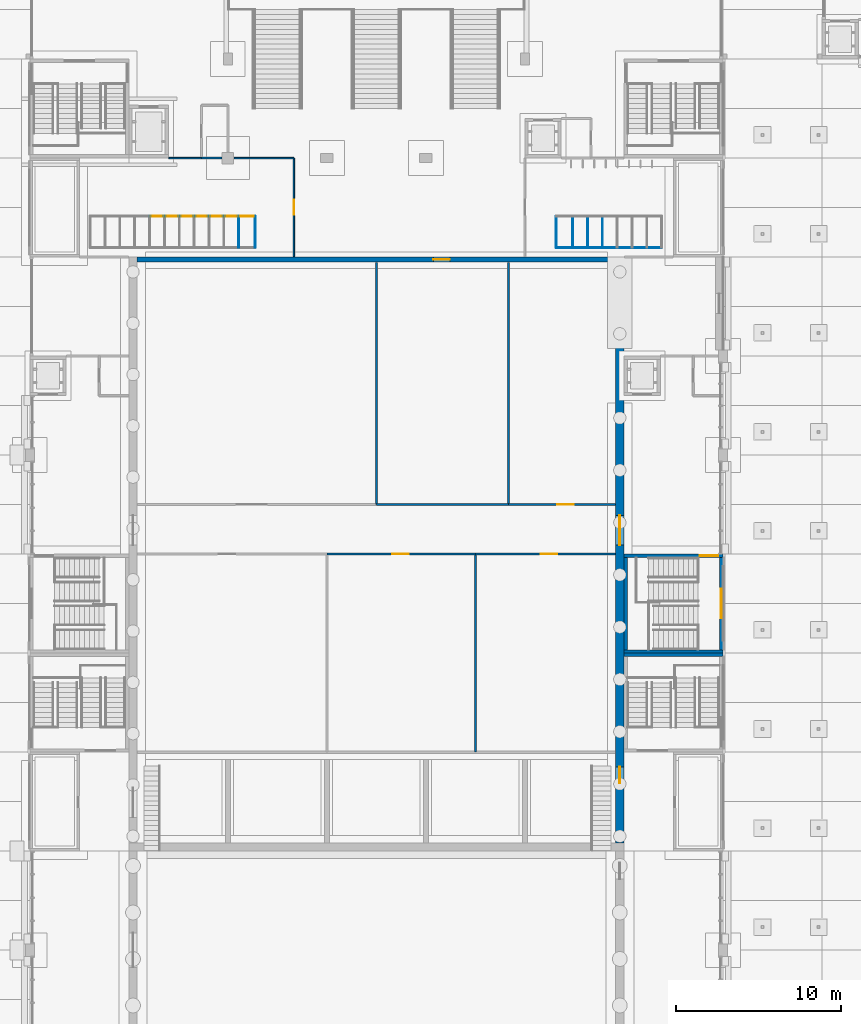
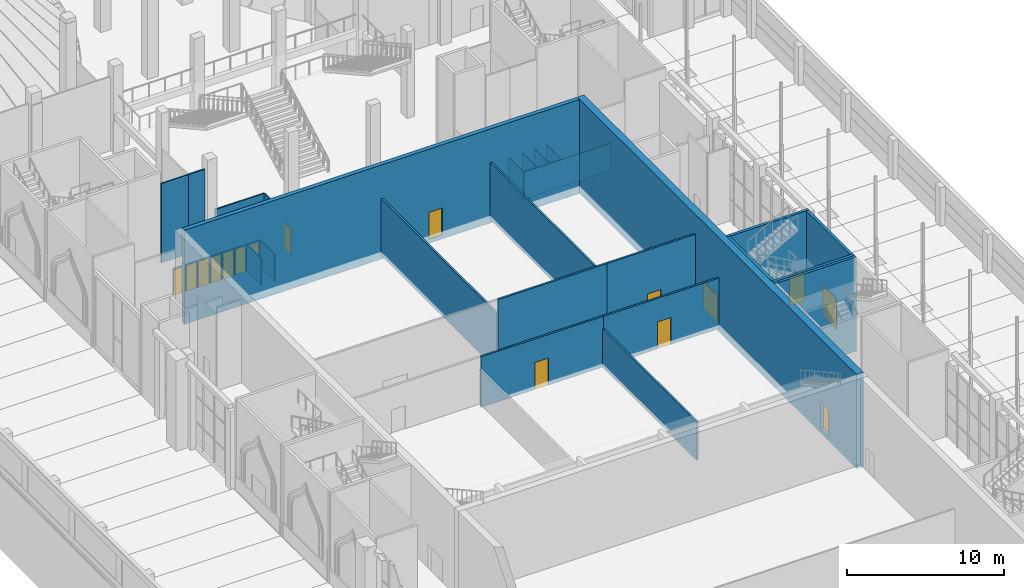
# One storey, part 47 of 95: 32 walls, 16 doors, 16 openings.
"""IFC4 building model written with IfcOpenShell, lengths in metres."""

from ifc_helpers import new_model, si_unit, direction, frame, frame_2d, origin, place, context, subcontext, project, spatial, rectangle, extrude, material, layer, layer_set, type_object, element, fill, save


model = new_model("IFC4")

# Units and contexts
model_context = context("Model", 3, precision=1e-05, world=origin(), true_north=direction((0.0, 1.0)))
body_context = subcontext(model_context, "Body", "Model", "MODEL_VIEW")
ifc_project = project(units=[si_unit("LENGTHUNIT", "METRE"), si_unit("AREAUNIT", "SQUARE_METRE"), si_unit("VOLUMEUNIT", "CUBIC_METRE"), si_unit("PLANEANGLEUNIT", "RADIAN"), si_unit("MASSUNIT", "GRAM", prefix="KILO")], contexts=[model_context])

# Site, building, storey
site_placement = place(None, origin())
site = spatial("IfcSite", under=ifc_project, at=site_placement, CompositionType="ELEMENT")
building_placement = place(site_placement, origin())
building = spatial("IfcBuilding", under=site, at=building_placement, Name="Saffron Lane Theatres", CompositionType="ELEMENT")
storey_placement = place(building_placement, origin())
storey = spatial("IfcBuildingStorey", under=building, at=storey_placement, Name="L00", CompositionType="ELEMENT", Elevation=0.0)

# Wall
ifc_material_1 = material(Name="Masonry block partition", Category="masonry")
ifc_layer_1 = layer(ifc_material_1, 0.110107421875)
ifc_layer_set_1 = layer_set([ifc_layer_1], Name="Masonry block partition")
wall_type_1 = type_object("IfcWallType", Name="IN-BLOCK PARTITION 110", PredefinedType="PARTITIONING", material=ifc_layer_set_1)
wall_1_placement = place(storey_placement, frame((22.39990234375, 96.0, 0.0), z_axis=(0.0, 0.0, 1.0), x_axis=(1.0, 0.0, 0.0)))
element("IfcWall", 1, at=wall_1_placement, inside=storey, type_object=wall_type_1, Name="PW-L00-054", PredefinedType="PARTITIONING", context=body_context, shape_type="SweptSolid", body=[
    extrude(rectangle(XDim=1.22998046875, YDim=0.110107421875, at=frame_2d((0.614990234375, 0.0))), origin(), (0.0, 0.0, 1.0), 6.14990234375),
])

# Wall, opening, door
ifc_material_2 = material(Name="Masonry block partition", Category="masonry")
ifc_layer_2 = layer(ifc_material_2, 0.139892578125)
ifc_layer_set_2 = layer_set([ifc_layer_2], Name="Masonry block partition")
wall_type_2 = type_object("IfcWallType", Name="IN-BLOCK PARTITION 140", PredefinedType="PARTITIONING", material=ifc_layer_set_2)
wall_2_placement = place(storey_placement, frame((30.0, 72.0, 0.0), z_axis=(0.0, 0.0, 1.0), x_axis=(1.0, 0.0, 0.0)))
wall_2 = element("IfcWall", 2, at=wall_2_placement, inside=storey, type_object=wall_type_2, Name="PW-L00-064", PredefinedType="PARTITIONING", context=body_context, shape_type="SweptSolid", body=[
    extrude(rectangle(XDim=9.0, YDim=0.139892578125, at=frame_2d((4.5, 0.0))), origin(), (0.0, 0.0, 1.0), 3.924072265625),
])
opening_1_placement = place(wall_2_placement, frame((3.949951171875, 0.0, 0.0)))
opening_1 = element("IfcOpeningElement", 3, at=opening_1_placement, cuts=wall_2, Name="Opening D00-13", PredefinedType="OPENING", context=body_context, shape_type="SweptSolid", body=[
    extrude(rectangle(XDim=1.0, YDim=2.10009765625, at=frame_2d((0.5, 1.050048828125))), frame((0.0, 0.080078125, 0.0), z_axis=(0.0, -1.0, 0.0), x_axis=(1.0, 0.0, 0.0)), (0.0, 0.0, 1.0), 0.159912109375),
])
ifc_material_3 = material(Name="Steel faced fire door leaf", Category="steel")
door_type_1 = type_object("IfcDoorType", Name="IN-DOOR 1000x2100 FD120", OperationType="NOTDEFINED", PredefinedType="DOOR", material=ifc_material_3)
door_1_placement = place(opening_1_placement, frame((1.0, 0.0, 0.0), z_axis=(0.0, 0.0, 1.0), x_axis=(-1.0, 0.0, 0.0)))
door_1 = element("IfcDoor", 4, at=door_1_placement, inside=storey, type_object=door_type_1, Name="D00-13", OperationType="SINGLE_SWING_LEFT", OverallHeight=2.10009765625, OverallWidth=1.0, PredefinedType="DOOR", context=body_context, shape_type="SweptSolid", body=[
    extrude(rectangle(XDim=1.0, YDim=2.10009765625, at=frame_2d((0.5, 1.050048828125))), frame((0.0, 0.02490234375, 0.0), z_axis=(0.0, -1.0, 0.0), x_axis=(1.0, 0.0, 0.0)), (0.0, 0.0, 1.0), 0.050048828125),
])
fill(opening_1, door_1)

# Walls
wall_3_placement = place(storey_placement, frame((33.0, 75.0, 0.0), z_axis=(0.0, 0.0, 1.0), x_axis=(1.0, 0.0, 0.0)))
element("IfcWall", 5, at=wall_3_placement, inside=storey, type_object=wall_type_2, Name="PW-L00-065", PredefinedType="PARTITIONING", context=body_context, shape_type="SweptSolid", body=[
    extrude(rectangle(XDim=8.0, YDim=0.139892578125, at=frame_2d((4.0, 0.0))), origin(), (0.0, 0.0, 1.0), 5.5),
])
wall_4_placement = place(storey_placement, frame((33.0, 75.0, 0.0), z_axis=(0.0, 0.0, 1.0), x_axis=(0.0, 1.0, 0.0)))
element("IfcWall", 6, at=wall_4_placement, inside=storey, type_object=wall_type_2, Name="PW-L00-066", PredefinedType="PARTITIONING", context=body_context, shape_type="SweptSolid", body=[
    extrude(rectangle(XDim=14.679931640625, YDim=0.139892578125, at=frame_2d((7.33984375, 0.0))), origin(), (0.0, 0.0, 1.0), 4.404052734375),
])
wall_5_placement = place(storey_placement, frame((39.0, 60.0, 0.0), z_axis=(0.0, 0.0, 1.0), x_axis=(0.0, 1.0, 0.0)))
element("IfcWall", 7, at=wall_5_placement, inside=storey, type_object=wall_type_2, Name="PW-L00-067", PredefinedType="PARTITIONING", context=body_context, shape_type="SweptSolid", body=[
    extrude(rectangle(XDim=12.0, YDim=0.139892578125, at=frame_2d((6.0, 0.0))), origin(), (0.0, 0.0, 1.0), 2.964111328125),
])

# Wall, opening, door
wall_6_placement = place(storey_placement, frame((39.0, 72.0, 0.0), z_axis=(0.0, 0.0, 1.0), x_axis=(1.0, 0.0, 0.0)))
wall_6 = element("IfcWall", 8, at=wall_6_placement, inside=storey, type_object=wall_type_2, Name="PW-L00-068", PredefinedType="PARTITIONING", context=body_context, shape_type="SweptSolid", body=[
    extrude(rectangle(XDim=8.47998046875, YDim=0.139892578125, at=frame_2d((4.239990234375, 0.0))), origin(), (0.0, 0.0, 1.0), 3.924072265625),
])
opening_2_placement = place(wall_6_placement, frame((3.949951171875, 0.0, 0.0)))
opening_2 = element("IfcOpeningElement", 9, at=opening_2_placement, cuts=wall_6, Name="Opening D00-14", PredefinedType="OPENING", context=body_context, shape_type="SweptSolid", body=[
    extrude(rectangle(XDim=1.0, YDim=2.10009765625, at=frame_2d((0.5, 1.050048828125))), frame((0.0, 0.080078125, 0.0), z_axis=(0.0, -1.0, 0.0), x_axis=(1.0, 0.0, 0.0)), (0.0, 0.0, 1.0), 0.159912109375),
])
door_2_placement = place(opening_2_placement, frame((1.0, 0.0, 0.0), z_axis=(0.0, 0.0, 1.0), x_axis=(-1.0, 0.0, 0.0)))
door_2 = element("IfcDoor", 10, at=door_2_placement, inside=storey, type_object=door_type_1, Name="D00-14", OperationType="SINGLE_SWING_LEFT", OverallHeight=2.10009765625, OverallWidth=1.0, PredefinedType="DOOR", context=body_context, shape_type="SweptSolid", body=[
    extrude(rectangle(XDim=1.0, YDim=2.10009765625, at=frame_2d((0.5, 1.050048828125))), frame((0.0, 0.02490234375, 0.0), z_axis=(0.0, -1.0, 0.0), x_axis=(1.0, 0.0, 0.0)), (0.0, 0.0, 1.0), 0.050048828125),
])
fill(opening_2, door_2)

wall_7_placement = place(storey_placement, frame((41.0, 75.0, 0.0), z_axis=(0.0, 0.0, 1.0), x_axis=(1.0, 0.0, 0.0)))
wall_7 = element("IfcWall", 11, at=wall_7_placement, inside=storey, type_object=wall_type_2, Name="PW-L00-069", PredefinedType="PARTITIONING", context=body_context, shape_type="SweptSolid", body=[
    extrude(rectangle(XDim=6.47998046875, YDim=0.139892578125, at=frame_2d((3.239990234375, 0.0))), origin(), (0.0, 0.0, 1.0), 5.5),
])
opening_3_placement = place(wall_7_placement, frame((2.949951171875, 0.0, 0.0)))
opening_3 = element("IfcOpeningElement", 12, at=opening_3_placement, cuts=wall_7, Name="Opening D00-11", PredefinedType="OPENING", context=body_context, shape_type="SweptSolid", body=[
    extrude(rectangle(XDim=1.0, YDim=2.10009765625, at=frame_2d((0.5, 1.050048828125))), frame((0.0, 0.080078125, 0.0), z_axis=(0.0, -1.0, 0.0), x_axis=(1.0, 0.0, 0.0)), (0.0, 0.0, 1.0), 0.159912109375),
])
door_3_placement = place(opening_3_placement, origin())
door_3 = element("IfcDoor", 13, at=door_3_placement, inside=storey, type_object=door_type_1, Name="D00-11", OperationType="SINGLE_SWING_RIGHT", OverallHeight=2.10009765625, OverallWidth=1.0, PredefinedType="DOOR", context=body_context, shape_type="SweptSolid", body=[
    extrude(rectangle(XDim=1.0, YDim=2.10009765625, at=frame_2d((0.5, 1.050048828125))), frame((0.0, 0.02490234375, 0.0), z_axis=(0.0, -1.0, 0.0), x_axis=(1.0, 0.0, 0.0)), (0.0, 0.0, 1.0), 0.050048828125),
])
fill(opening_3, door_3)

# Walls
wall_8_placement = place(storey_placement, frame((41.0, 75.0, 0.0), z_axis=(0.0, 0.0, 1.0), x_axis=(0.0, 1.0, 0.0)))
element("IfcWall", 14, at=wall_8_placement, inside=storey, type_object=wall_type_2, Name="PW-L00-070", PredefinedType="PARTITIONING", context=body_context, shape_type="SweptSolid", body=[
    extrude(rectangle(XDim=14.679931640625, YDim=0.139892578125, at=frame_2d((7.33984375, 0.0))), origin(), (0.0, 0.0, 1.0), 4.404052734375),
])
ifc_material_4 = material(Name="Laminate cubicle panel")
ifc_layer_3 = layer(ifc_material_4, 0.050048828125)
ifc_layer_set_3 = layer_set([ifc_layer_3], Name="Laminate cubicle panel")
wall_type_3 = type_object("IfcWallType", Name="IN-CUBICLE PANEL 050", PredefinedType="PARTITIONING", material=ifc_layer_set_3)
for number, where, z_axis, x_axis, name in (
    (15, (24.66259765625, 90.574951171875, 0.0), (0.0, 0.0, 1.0), (0.0, 1.0, 0.0), "PW-L00-136"),
    (16, (25.66259765625, 90.574951171875, 0.0), (0.0, 0.0, 1.0), (0.0, 1.0, 0.0), "PW-L00-137"),
):
    element("IfcWall", number, at=place(storey_placement, frame(where, z_axis=z_axis, x_axis=x_axis)), inside=storey, type_object=wall_type_3, Name=name, PredefinedType="PARTITIONING", context=body_context, shape_type="SweptSolid", body=[
        extrude(rectangle(XDim=1.900146484375, YDim=0.050048828125, at=frame_2d((0.9501953125, 0.0))), origin(), (0.0, 0.0, 1.0), 2.10009765625),
    ])

# Wall, opening, door
wall_9_placement = place(storey_placement, frame((19.262451171875, 92.47509765625, 0.0), z_axis=(0.0, 0.0, 1.0), x_axis=(1.0, 0.0, 0.0)))
wall_9 = element("IfcWall", 17, at=wall_9_placement, inside=storey, type_object=wall_type_3, Name="PW-L00-142", PredefinedType="PARTITIONING", context=body_context, shape_type="SweptSolid", body=[
    extrude(rectangle(XDim=0.900146484375, YDim=0.050048828125, at=frame_2d((0.4501953125, 0.0))), origin(), (0.0, 0.0, 1.0), 2.10009765625),
])
opening_4_placement = place(wall_9_placement, frame((0.074951171875, 0.0, 0.0)))
opening_4 = element("IfcOpeningElement", 18, at=opening_4_placement, cuts=wall_9, Name="Opening D00-71", PredefinedType="OPENING", context=body_context, shape_type="SweptSolid", body=[
    extrude(rectangle(XDim=0.75, YDim=2.0, at=frame_2d((0.375, 1.0))), frame((0.0, 0.03515625, 0.0), z_axis=(0.0, -1.0, 0.0), x_axis=(1.0, 0.0, 0.0)), (0.0, 0.0, 1.0), 0.070068359375),
])
ifc_material_5 = material(Name="Timber door leaf", Category="wood")
door_type_2 = type_object("IfcDoorType", Name="IN-DOOR 750x2000", OperationType="NOTDEFINED", PredefinedType="DOOR", material=ifc_material_5)
door_4_placement = place(opening_4_placement, frame((0.75, 0.0, 0.0), z_axis=(0.0, 0.0, 1.0), x_axis=(-1.0, 0.0, 0.0)))
door_4 = element("IfcDoor", 19, at=door_4_placement, inside=storey, type_object=door_type_2, Name="D00-71", OperationType="SINGLE_SWING_RIGHT", OverallHeight=2.0, OverallWidth=0.75, PredefinedType="DOOR", context=body_context, shape_type="SweptSolid", body=[
    extrude(rectangle(XDim=0.75, YDim=2.0, at=frame_2d((0.375, 1.0))), frame((0.0, 0.02490234375, 0.0), z_axis=(0.0, -1.0, 0.0), x_axis=(1.0, 0.0, 0.0)), (0.0, 0.0, 1.0), 0.049560546875),
])
fill(opening_4, door_4)

wall_10_placement = place(storey_placement, frame((20.16259765625, 92.47509765625, 0.0), z_axis=(0.0, 0.0, 1.0), x_axis=(1.0, 0.0, 0.0)))
wall_10 = element("IfcWall", 20, at=wall_10_placement, inside=storey, type_object=wall_type_3, Name="PW-L00-143", PredefinedType="PARTITIONING", context=body_context, shape_type="SweptSolid", body=[
    extrude(rectangle(XDim=0.89990234375, YDim=0.050048828125, at=frame_2d((0.449951171875, 0.0))), origin(), (0.0, 0.0, 1.0), 2.10009765625),
])
opening_5_placement = place(wall_10_placement, frame((0.074951171875, 0.0, 0.0)))
opening_5 = element("IfcOpeningElement", 21, at=opening_5_placement, cuts=wall_10, Name="Opening D00-72", PredefinedType="OPENING", context=body_context, shape_type="SweptSolid", body=[
    extrude(rectangle(XDim=0.75, YDim=2.0, at=frame_2d((0.375, 1.0))), frame((0.0, 0.03515625, 0.0), z_axis=(0.0, -1.0, 0.0), x_axis=(1.0, 0.0, 0.0)), (0.0, 0.0, 1.0), 0.070068359375),
])
door_5_placement = place(opening_5_placement, frame((0.75, 0.0, 0.0), z_axis=(0.0, 0.0, 1.0), x_axis=(-1.0, 0.0, 0.0)))
door_5 = element("IfcDoor", 22, at=door_5_placement, inside=storey, type_object=door_type_2, Name="D00-72", OperationType="SINGLE_SWING_LEFT", OverallHeight=2.0, OverallWidth=0.75, PredefinedType="DOOR", context=body_context, shape_type="SweptSolid", body=[
    extrude(rectangle(XDim=0.75, YDim=2.0, at=frame_2d((0.375, 1.0))), frame((0.0, 0.02490234375, 0.0), z_axis=(0.0, -1.0, 0.0), x_axis=(1.0, 0.0, 0.0)), (0.0, 0.0, 1.0), 0.049560546875),
])
fill(opening_5, door_5)

wall_11_placement = place(storey_placement, frame((21.0625, 92.47509765625, 0.0), z_axis=(0.0, 0.0, 1.0), x_axis=(1.0, 0.0, 0.0)))
wall_11 = element("IfcWall", 23, at=wall_11_placement, inside=storey, type_object=wall_type_3, Name="PW-L00-144", PredefinedType="PARTITIONING", context=body_context, shape_type="SweptSolid", body=[
    extrude(rectangle(XDim=0.89990234375, YDim=0.050048828125, at=frame_2d((0.449951171875, 0.0))), origin(), (0.0, 0.0, 1.0), 2.10009765625),
])
opening_6_placement = place(wall_11_placement, frame((0.074951171875, 0.0, 0.0)))
opening_6 = element("IfcOpeningElement", 24, at=opening_6_placement, cuts=wall_11, Name="Opening D00-73", PredefinedType="OPENING", context=body_context, shape_type="SweptSolid", body=[
    extrude(rectangle(XDim=0.75, YDim=2.0, at=frame_2d((0.375, 1.0))), frame((0.0, 0.03515625, 0.0), z_axis=(0.0, -1.0, 0.0), x_axis=(1.0, 0.0, 0.0)), (0.0, 0.0, 1.0), 0.070068359375),
])
door_6_placement = place(opening_6_placement, frame((0.75, 0.0, 0.0), z_axis=(0.0, 0.0, 1.0), x_axis=(-1.0, 0.0, 0.0)))
door_6 = element("IfcDoor", 25, at=door_6_placement, inside=storey, type_object=door_type_2, Name="D00-73", OperationType="SINGLE_SWING_RIGHT", OverallHeight=2.0, OverallWidth=0.75, PredefinedType="DOOR", context=body_context, shape_type="SweptSolid", body=[
    extrude(rectangle(XDim=0.75, YDim=2.0, at=frame_2d((0.375, 1.0))), frame((0.0, 0.02490234375, 0.0), z_axis=(0.0, -1.0, 0.0), x_axis=(1.0, 0.0, 0.0)), (0.0, 0.0, 1.0), 0.049560546875),
])
fill(opening_6, door_6)

wall_12_placement = place(storey_placement, frame((21.96240234375, 92.47509765625, 0.0), z_axis=(0.0, 0.0, 1.0), x_axis=(1.0, 0.0, 0.0)))
wall_12 = element("IfcWall", 26, at=wall_12_placement, inside=storey, type_object=wall_type_3, Name="PW-L00-145", PredefinedType="PARTITIONING", context=body_context, shape_type="SweptSolid", body=[
    extrude(rectangle(XDim=0.900146484375, YDim=0.050048828125, at=frame_2d((0.4501953125, 0.0))), origin(), (0.0, 0.0, 1.0), 2.10009765625),
])
opening_7_placement = place(wall_12_placement, frame((0.074951171875, 0.0, 0.0)))
opening_7 = element("IfcOpeningElement", 27, at=opening_7_placement, cuts=wall_12, Name="Opening D00-74", PredefinedType="OPENING", context=body_context, shape_type="SweptSolid", body=[
    extrude(rectangle(XDim=0.75, YDim=2.0, at=frame_2d((0.375, 1.0))), frame((0.0, 0.03515625, 0.0), z_axis=(0.0, -1.0, 0.0), x_axis=(1.0, 0.0, 0.0)), (0.0, 0.0, 1.0), 0.070068359375),
])
door_7_placement = place(opening_7_placement, frame((0.75, 0.0, 0.0), z_axis=(0.0, 0.0, 1.0), x_axis=(-1.0, 0.0, 0.0)))
door_7 = element("IfcDoor", 28, at=door_7_placement, inside=storey, type_object=door_type_2, Name="D00-74", OperationType="SINGLE_SWING_LEFT", OverallHeight=2.0, OverallWidth=0.75, PredefinedType="DOOR", context=body_context, shape_type="SweptSolid", body=[
    extrude(rectangle(XDim=0.75, YDim=2.0, at=frame_2d((0.375, 1.0))), frame((0.0, 0.02490234375, 0.0), z_axis=(0.0, -1.0, 0.0), x_axis=(1.0, 0.0, 0.0)), (0.0, 0.0, 1.0), 0.049560546875),
])
fill(opening_7, door_7)

wall_13_placement = place(storey_placement, frame((22.862548828125, 92.47509765625, 0.0), z_axis=(0.0, 0.0, 1.0), x_axis=(1.0, 0.0, 0.0)))
wall_13 = element("IfcWall", 29, at=wall_13_placement, inside=storey, type_object=wall_type_3, Name="PW-L00-146", PredefinedType="PARTITIONING", context=body_context, shape_type="SweptSolid", body=[
    extrude(rectangle(XDim=0.89990234375, YDim=0.050048828125, at=frame_2d((0.449951171875, 0.0))), origin(), (0.0, 0.0, 1.0), 2.10009765625),
])
opening_8_placement = place(wall_13_placement, frame((0.074951171875, 0.0, 0.0)))
opening_8 = element("IfcOpeningElement", 30, at=opening_8_placement, cuts=wall_13, Name="Opening D00-75", PredefinedType="OPENING", context=body_context, shape_type="SweptSolid", body=[
    extrude(rectangle(XDim=0.75, YDim=2.0, at=frame_2d((0.375, 1.0))), frame((0.0, 0.03515625, 0.0), z_axis=(0.0, -1.0, 0.0), x_axis=(1.0, 0.0, 0.0)), (0.0, 0.0, 1.0), 0.070068359375),
])
door_8_placement = place(opening_8_placement, frame((0.75, 0.0, 0.0), z_axis=(0.0, 0.0, 1.0), x_axis=(-1.0, 0.0, 0.0)))
door_8 = element("IfcDoor", 31, at=door_8_placement, inside=storey, type_object=door_type_2, Name="D00-75", OperationType="SINGLE_SWING_RIGHT", OverallHeight=2.0, OverallWidth=0.75, PredefinedType="DOOR", context=body_context, shape_type="SweptSolid", body=[
    extrude(rectangle(XDim=0.75, YDim=2.0, at=frame_2d((0.375, 1.0))), frame((0.0, 0.02490234375, 0.0), z_axis=(0.0, -1.0, 0.0), x_axis=(1.0, 0.0, 0.0)), (0.0, 0.0, 1.0), 0.049560546875),
])
fill(opening_8, door_8)

wall_14_placement = place(storey_placement, frame((23.762451171875, 92.47509765625, 0.0), z_axis=(0.0, 0.0, 1.0), x_axis=(1.0, 0.0, 0.0)))
wall_14 = element("IfcWall", 32, at=wall_14_placement, inside=storey, type_object=wall_type_3, Name="PW-L00-147", PredefinedType="PARTITIONING", context=body_context, shape_type="SweptSolid", body=[
    extrude(rectangle(XDim=0.900146484375, YDim=0.050048828125, at=frame_2d((0.4501953125, 0.0))), origin(), (0.0, 0.0, 1.0), 2.10009765625),
])
opening_9_placement = place(wall_14_placement, frame((0.074951171875, 0.0, 0.0)))
opening_9 = element("IfcOpeningElement", 33, at=opening_9_placement, cuts=wall_14, Name="Opening D00-76", PredefinedType="OPENING", context=body_context, shape_type="SweptSolid", body=[
    extrude(rectangle(XDim=0.75, YDim=2.0, at=frame_2d((0.375, 1.0))), frame((0.0, 0.03515625, 0.0), z_axis=(0.0, -1.0, 0.0), x_axis=(1.0, 0.0, 0.0)), (0.0, 0.0, 1.0), 0.070068359375),
])
door_9_placement = place(opening_9_placement, frame((0.75, 0.0, 0.0), z_axis=(0.0, 0.0, 1.0), x_axis=(-1.0, 0.0, 0.0)))
door_9 = element("IfcDoor", 34, at=door_9_placement, inside=storey, type_object=door_type_2, Name="D00-76", OperationType="SINGLE_SWING_LEFT", OverallHeight=2.0, OverallWidth=0.75, PredefinedType="DOOR", context=body_context, shape_type="SweptSolid", body=[
    extrude(rectangle(XDim=0.75, YDim=2.0, at=frame_2d((0.375, 1.0))), frame((0.0, 0.02490234375, 0.0), z_axis=(0.0, -1.0, 0.0), x_axis=(1.0, 0.0, 0.0)), (0.0, 0.0, 1.0), 0.049560546875),
])
fill(opening_9, door_9)

wall_15_placement = place(storey_placement, frame((24.66259765625, 92.47509765625, 0.0), z_axis=(0.0, 0.0, 1.0), x_axis=(1.0, 0.0, 0.0)))
wall_15 = element("IfcWall", 35, at=wall_15_placement, inside=storey, type_object=wall_type_3, Name="PW-L00-148", PredefinedType="PARTITIONING", context=body_context, shape_type="SweptSolid", body=[
    extrude(rectangle(XDim=1.0, YDim=0.050048828125, at=frame_2d((0.5, 0.0))), origin(), (0.0, 0.0, 1.0), 2.10009765625),
])
opening_10_placement = place(wall_15_placement, frame((0.090087890625, 0.0, 0.0)))
opening_10 = element("IfcOpeningElement", 36, at=opening_10_placement, cuts=wall_15, Name="Opening D00-77", PredefinedType="OPENING", context=body_context, shape_type="SweptSolid", body=[
    extrude(rectangle(XDim=0.820068359375, YDim=2.0, at=frame_2d((0.41015625, 1.0))), frame((0.0, 0.03515625, 0.0), z_axis=(0.0, -1.0, 0.0), x_axis=(1.0, 0.0, 0.0)), (0.0, 0.0, 1.0), 0.070068359375),
])
ifc_material_6 = material(Name="Timber door leaf", Category="wood")
door_type_3 = type_object("IfcDoorType", Name="IN-DOOR 820x2000", OperationType="NOTDEFINED", PredefinedType="DOOR", material=ifc_material_6)
door_10_placement = place(opening_10_placement, frame((0.820068359375, 0.0, 0.0), z_axis=(0.0, 0.0, 1.0), x_axis=(-1.0, 0.0, 0.0)))
door_10 = element("IfcDoor", 37, at=door_10_placement, inside=storey, type_object=door_type_3, Name="D00-77", OperationType="SINGLE_SWING_RIGHT", OverallHeight=2.0, OverallWidth=0.820068359375, PredefinedType="DOOR", context=body_context, shape_type="SweptSolid", body=[
    extrude(rectangle(XDim=0.820068359375, YDim=2.0, at=frame_2d((0.41015625, 1.0))), frame((0.0, 0.02490234375, 0.0), z_axis=(0.0, -1.0, 0.0), x_axis=(1.0, 0.0, 0.0)), (0.0, 0.0, 1.0), 0.049560546875),
])
fill(opening_10, door_10)

# Walls
for number, where, z_axis, x_axis, name in (
    (38, (43.89990234375, 90.574951171875, 0.0), (0.0, 0.0, 1.0), (0.0, 1.0, 0.0), "PW-L00-150"),
    (39, (44.89990234375, 90.574951171875, 0.0), (0.0, 0.0, 1.0), (0.0, 1.0, 0.0), "PW-L00-151"),
    (40, (45.800048828125, 90.574951171875, 0.0), (0.0, 0.0, 1.0), (0.0, 1.0, 0.0), "PW-L00-152"),
    (41, (46.699951171875, 90.574951171875, 0.0), (0.0, 0.0, 1.0), (0.0, 1.0, 0.0), "PW-L00-153"),
):
    element("IfcWall", number, at=place(storey_placement, frame(where, z_axis=z_axis, x_axis=x_axis)), inside=storey, type_object=wall_type_3, Name=name, PredefinedType="PARTITIONING", context=body_context, shape_type="SweptSolid", body=[
        extrude(rectangle(XDim=1.900146484375, YDim=0.050048828125, at=frame_2d((0.9501953125, 0.0))), origin(), (0.0, 0.0, 1.0), 2.10009765625),
    ])
ifc_material_7 = material(Name="Laminate service partition on fire board")
ifc_layer_4 = layer(ifc_material_7, 0.06005859375)
ifc_layer_set_4 = layer_set([ifc_layer_4], Name="Laminate service partition on fire board")
wall_type_4 = type_object("IfcWallType", Name="IN-SERVICE FIRE PARTITION 060", PredefinedType="PARTITIONING", material=ifc_layer_set_4)
wall_16_placement = place(storey_placement, frame((43.89990234375, 90.574951171875, 0.0), z_axis=(0.0, 0.0, 1.0), x_axis=(1.0, 0.0, 0.0)))
element("IfcWall", 42, at=wall_16_placement, inside=storey, type_object=wall_type_4, Name="PW-L00-149", PredefinedType="PARTITIONING", context=body_context, shape_type="SweptSolid", body=[
    extrude(rectangle(XDim=6.400146484375, YDim=0.06005859375, at=frame_2d((3.2001953125, 0.0))), origin(), (0.0, 0.0, 1.0), 2.10009765625),
])
ifc_material_8 = material(Name="Plasterboard on 90 mm steel studs", Category="steel")
ifc_layer_5 = layer(ifc_material_8, 0.090087890625)
ifc_layer_set_5 = layer_set([ifc_layer_5], Name="Plasterboard on 90 mm steel studs")
wall_type_5 = type_object("IfcWallType", Name="IN-STUD PARTITION 090", PredefinedType="PARTITIONING", material=ifc_layer_set_5)
wall_17_placement = place(storey_placement, frame((20.419921875, 96.0, 0.0), z_axis=(0.0, 0.0, 1.0), x_axis=(1.0, 0.0, 0.0)))
element("IfcWall", 43, at=wall_17_placement, inside=storey, type_object=wall_type_5, Name="PW-L00-109", PredefinedType="PARTITIONING", context=body_context, shape_type="SweptSolid", body=[
    extrude(rectangle(XDim=1.97998046875, YDim=0.090087890625, at=frame_2d((0.989990234375, 0.0))), origin(), (0.0, 0.0, 1.0), 6.14990234375),
])

# Wall, opening, door
wall_18_placement = place(storey_placement, frame((28.0, 90.02001953125, 0.0), z_axis=(0.0, 0.0, 1.0), x_axis=(0.0, 1.0, 0.0)))
wall_18 = element("IfcWall", 44, at=wall_18_placement, inside=storey, type_object=wall_type_5, Name="PW-L00-110", PredefinedType="PARTITIONING", context=body_context, shape_type="SweptSolid", body=[
    extrude(rectangle(XDim=5.97998046875, YDim=0.090087890625, at=frame_2d((2.989990234375, 0.0))), origin(), (0.0, 0.0, 1.0), 2.75),
])
opening_11_placement = place(wall_18_placement, frame((2.530029296875, 0.0, 0.0)))
opening_11 = element("IfcOpeningElement", 45, at=opening_11_placement, cuts=wall_18, Name="Opening D00-07", PredefinedType="OPENING", context=body_context, shape_type="SweptSolid", body=[
    extrude(rectangle(XDim=0.919921875, YDim=2.0400390625, at=frame_2d((0.4599609375, 1.02001953125))), frame((0.0, 0.05517578125, 0.0), z_axis=(0.0, -1.0, 0.0), x_axis=(1.0, 0.0, 0.0)), (0.0, 0.0, 1.0), 0.110107421875),
])
ifc_material_9 = material(Name="Timber door leaf", Category="wood")
door_type_4 = type_object("IfcDoorType", Name="IN-DOOR 920x2040", OperationType="NOTDEFINED", PredefinedType="DOOR", material=ifc_material_9)
door_11_placement = place(opening_11_placement, origin())
door_11 = element("IfcDoor", 46, at=door_11_placement, inside=storey, type_object=door_type_4, Name="D00-07", OperationType="SINGLE_SWING_LEFT", OverallHeight=2.0400390625, OverallWidth=0.919921875, PredefinedType="DOOR", context=body_context, shape_type="SweptSolid", body=[
    extrude(rectangle(XDim=0.919921875, YDim=2.0400390625, at=frame_2d((0.4599609375, 1.02001953125))), frame((0.0, 0.02490234375, 0.0), z_axis=(0.0, -1.0, 0.0), x_axis=(1.0, 0.0, 0.0)), (0.0, 0.0, 1.0), 0.050048828125),
])
fill(opening_11, door_11)

# Wall
wall_19_placement = place(storey_placement, frame((24.3701171875, 96.0, 0.0), z_axis=(0.0, 0.0, 1.0), x_axis=(1.0, 0.0, 0.0)))
element("IfcWall", 47, at=wall_19_placement, inside=storey, type_object=wall_type_5, Name="PW-L00-111", PredefinedType="PARTITIONING", context=body_context, shape_type="SweptSolid", body=[
    extrude(rectangle(XDim=3.6298828125, YDim=0.090087890625, at=frame_2d((1.81494140625, 0.0))), origin(), (0.0, 0.0, 1.0), 2.75),
])

# Wall, opening, door
ifc_material_10 = material(Name="Concrete N50 (50 MPa)", Category="concrete")
ifc_layer_6 = layer(ifc_material_10, 0.199951171875)
ifc_layer_set_6 = layer_set([ifc_layer_6], Name="Concrete N50 (50 MPa)")
wall_type_6 = type_object("IfcWallType", Name="RC-CORE 200", PredefinedType="SHEAR", material=ifc_layer_set_6)
wall_20_placement = place(storey_placement, frame((48.0, 71.89990234375, -0.300048828125), z_axis=(0.0, 0.0, 1.0), x_axis=(1.0, 0.0, 0.0)))
wall_20 = element("IfcWall", 48, at=wall_20_placement, inside=storey, type_object=wall_type_6, Name="W-ST4-N-L00", PredefinedType="SHEAR", context=body_context, shape_type="SweptSolid", body=[
    extrude(rectangle(XDim=6.0, YDim=0.199951171875, at=frame_2d((3.0, 0.0))), origin(), (0.0, 0.0, 1.0), 7.300048828125),
])
opening_12_placement = place(wall_20_placement, frame((4.60009765625, 0.0, 0.300048828125)))
opening_12 = element("IfcOpeningElement", 49, at=opening_12_placement, cuts=wall_20, Name="Opening D00-36", PredefinedType="OPENING", context=body_context, shape_type="SweptSolid", body=[
    extrude(rectangle(XDim=1.10009765625, YDim=2.199951171875, at=frame_2d((0.550048828125, 1.10009765625))), frame((0.0, 0.10986328125, 0.0), z_axis=(0.0, -1.0, 0.0), x_axis=(1.0, 0.0, 0.0)), (0.0, 0.0, 1.0), 0.219970703125),
])
ifc_material_11 = material(Name="Steel faced fire door leaf", Category="steel")
door_type_5 = type_object("IfcDoorType", Name="IN-DOOR 1100x2200 FD120", OperationType="NOTDEFINED", PredefinedType="DOOR", material=ifc_material_11)
door_12_placement = place(opening_12_placement, frame((1.10009765625, 0.0, 0.0), z_axis=(0.0, 0.0, 1.0), x_axis=(-1.0, 0.0, 0.0)))
door_12 = element("IfcDoor", 50, at=door_12_placement, inside=storey, type_object=door_type_5, Name="D00-36", OperationType="SINGLE_SWING_RIGHT", OverallHeight=2.199951171875, OverallWidth=1.10009765625, PredefinedType="DOOR", context=body_context, shape_type="SweptSolid", body=[
    extrude(rectangle(XDim=1.10009765625, YDim=2.199951171875, at=frame_2d((0.550048828125, 1.10009765625))), frame((0.0, 0.02490234375, 0.0), z_axis=(0.0, -1.0, 0.0), x_axis=(1.0, 0.0, 0.0)), (0.0, 0.0, 1.0), 0.050048828125),
])
fill(opening_12, door_12)

# Walls
wall_21_placement = place(storey_placement, frame((48.0, 66.10009765625, -0.300048828125), z_axis=(0.0, 0.0, 1.0), x_axis=(1.0, 0.0, 0.0)))
element("IfcWall", 51, at=wall_21_placement, inside=storey, type_object=wall_type_6, Name="W-ST4-S-L00", PredefinedType="SHEAR", context=body_context, shape_type="SweptSolid", body=[
    extrude(rectangle(XDim=6.0, YDim=0.199951171875, at=frame_2d((3.0, 0.0))), origin(), (0.0, 0.0, 1.0), 7.300048828125),
])
wall_22_placement = place(storey_placement, frame((48.10009765625, 66.199951171875, -0.300048828125), z_axis=(0.0, 0.0, 1.0), x_axis=(0.0, 1.0, 0.0)))
element("IfcWall", 52, at=wall_22_placement, inside=storey, type_object=wall_type_6, Name="W-ST4-W-L00", PredefinedType="SHEAR", context=body_context, shape_type="SweptSolid", body=[
    extrude(rectangle(XDim=5.60009765625, YDim=0.199951171875, at=frame_2d((2.800048828125, 0.0))), origin(), (0.0, 0.0, 1.0), 7.300048828125),
])
wall_23_placement = place(storey_placement, frame((48.0, 65.89990234375, -0.300048828125), z_axis=(0.0, 0.0, 1.0), x_axis=(1.0, 0.0, 0.0)))
element("IfcWall", 53, at=wall_23_placement, inside=storey, type_object=wall_type_6, Name="W-ST11-N-L00", PredefinedType="SHEAR", context=body_context, shape_type="SweptSolid", body=[
    extrude(rectangle(XDim=6.0, YDim=0.199951171875, at=frame_2d((3.0, 0.0))), origin(), (0.0, 0.0, 1.0), 7.300048828125),
])

# Wall, opening, door
ifc_material_12 = material(Name="Concrete N50 (50 MPa)", Category="concrete")
ifc_layer_7 = layer(ifc_material_12, 0.199951171875)
ifc_layer_set_7 = layer_set([ifc_layer_7], Name="Concrete N50 (50 MPa)")
wall_type_7 = type_object("IfcWallType", Name="RC-CORE EXTERNAL 200", PredefinedType="SHEAR", material=ifc_layer_set_7)
wall_24_placement = place(storey_placement, frame((53.89990234375, 66.199951171875, -0.300048828125), z_axis=(0.0, 0.0, 1.0), x_axis=(0.0, 1.0, 0.0)))
wall_24 = element("IfcWall", 54, at=wall_24_placement, inside=storey, type_object=wall_type_7, Name="W-ST4-E-L00", PredefinedType="SHEAR", context=body_context, shape_type="SweptSolid", body=[
    extrude(rectangle(XDim=5.60009765625, YDim=0.199951171875, at=frame_2d((2.800048828125, 0.0))), origin(), (0.0, 0.0, 1.0), 7.300048828125),
])
opening_13_placement = place(wall_24_placement, frame((1.89990234375, 0.0, 0.300048828125)))
opening_13 = element("IfcOpeningElement", 55, at=opening_13_placement, cuts=wall_24, Name="Opening EDST4", PredefinedType="OPENING", context=body_context, shape_type="SweptSolid", body=[
    extrude(rectangle(XDim=1.800048828125, YDim=2.39990234375, at=frame_2d((0.89990234375, 1.199951171875))), frame((0.0, 0.10986328125, 0.0), z_axis=(0.0, -1.0, 0.0), x_axis=(1.0, 0.0, 0.0)), (0.0, 0.0, 1.0), 0.219970703125),
])
ifc_material_13 = material(Name="Steel faced fire door leaf", Category="steel")
door_type_6 = type_object("IfcDoorType", Name="EX-EXIT DOOR PAIR 1800x2400", OperationType="DOUBLE_DOOR_SINGLE_SWING", PredefinedType="DOOR", material=ifc_material_13)
door_13_placement = place(opening_13_placement, frame((1.800048828125, 0.0, 0.0), z_axis=(0.0, 0.0, 1.0), x_axis=(-1.0, 0.0, 0.0)))
door_13 = element("IfcDoor", 56, at=door_13_placement, inside=storey, type_object=door_type_6, Name="Exit door ST4", OperationType="DOUBLE_DOOR_SINGLE_SWING", OverallHeight=2.39990234375, OverallWidth=1.800048828125, PredefinedType="DOOR", context=body_context, shape_type="SweptSolid", body=[
    extrude(rectangle(XDim=1.800048828125, YDim=2.39990234375, at=frame_2d((0.89990234375, 1.199951171875))), frame((0.0, 0.02490234375, 0.0), z_axis=(0.0, -1.0, 0.0), x_axis=(1.0, 0.0, 0.0)), (0.0, 0.0, 1.0), 0.050048828125),
])
fill(opening_13, door_13)

ifc_material_14 = material(Name="Concrete N50 (50 MPa)", Category="concrete")
ifc_layer_8 = layer(ifc_material_14, 0.39990234375)
ifc_layer_set_8 = layer_set([ifc_layer_8], Name="Concrete N50 (50 MPa)")
wall_type_8 = type_object("IfcWallType", Name="RC-WALL 400", PredefinedType="SHEAR", material=ifc_layer_set_8)
wall_25_placement = place(storey_placement, frame((18.5, 89.85009765625, -0.300048828125), z_axis=(0.0, 0.0, 1.0), x_axis=(1.0, 0.0, 0.0)))
wall_25 = element("IfcWall", 57, at=wall_25_placement, inside=storey, type_object=wall_type_8, Name="W-REAR-L00", PredefinedType="SHEAR", context=body_context, shape_type="SweptSolid", body=[
    extrude(rectangle(XDim=29.0, YDim=0.300048828125, at=frame_2d((14.5, 0.0))), origin(), (0.0, 0.0, 1.0), 7.300048828125),
])
opening_14_placement = place(wall_25_placement, frame((17.949951171875, 0.0, 0.300048828125)))
opening_14 = element("IfcOpeningElement", 58, at=opening_14_placement, cuts=wall_25, Name="Opening D00-10", PredefinedType="OPENING", context=body_context, shape_type="SweptSolid", body=[
    extrude(rectangle(XDim=1.0, YDim=2.10009765625, at=frame_2d((0.5, 1.050048828125))), frame((0.0, 0.16015625, 0.0), z_axis=(0.0, -1.0, 0.0), x_axis=(1.0, 0.0, 0.0)), (0.0, 0.0, 1.0), 0.320068359375),
])
door_14_placement = place(opening_14_placement, frame((1.0, 0.0, 0.0), z_axis=(0.0, 0.0, 1.0), x_axis=(-1.0, 0.0, 0.0)))
door_14 = element("IfcDoor", 59, at=door_14_placement, inside=storey, type_object=door_type_1, Name="D00-10", OperationType="SINGLE_SWING_LEFT", OverallHeight=2.10009765625, OverallWidth=1.0, PredefinedType="DOOR", context=body_context, shape_type="SweptSolid", body=[
    extrude(rectangle(XDim=1.0, YDim=2.10009765625, at=frame_2d((0.5, 1.050048828125))), frame((0.0, 0.02490234375, 0.0), z_axis=(0.0, -1.0, 0.0), x_axis=(1.0, 0.0, 0.0)), (0.0, 0.0, 1.0), 0.050048828125),
])
fill(opening_14, door_14)

# Wall, openings, doors
ifc_material_15 = material(Name="Concrete N50 (50 MPa)", Category="concrete")
ifc_layer_9 = layer(ifc_material_15, 0.5)
ifc_layer_set_9 = layer_set([ifc_layer_9], Name="Concrete N50 (50 MPa)")
wall_type_9 = type_object("IfcWallType", Name="RC-WALL 500", PredefinedType="SHEAR", material=ifc_layer_set_9)
wall_26_placement = place(storey_placement, frame((47.75, 54.5, -0.300048828125), z_axis=(0.0, 0.0, 1.0), x_axis=(0.0, 1.0, 0.0)))
wall_26 = element("IfcWall", 60, at=wall_26_placement, inside=storey, type_object=wall_type_9, Name="W-AUDS-E-L00", PredefinedType="SHEAR", context=body_context, shape_type="SweptSolid", body=[
    extrude(rectangle(XDim=35.5, YDim=0.5, at=frame_2d((17.75, 0.0))), origin(), (0.0, 0.0, 1.0), 7.300048828125),
])
opening_15_placement = place(wall_26_placement, frame((18.050048828125, 0.0, 0.300048828125)))
opening_15 = element("IfcOpeningElement", 61, at=opening_15_placement, cuts=wall_26, Name="Opening D00-58", PredefinedType="OPENING", context=body_context, shape_type="SweptSolid", body=[
    extrude(rectangle(XDim=1.800048828125, YDim=2.10009765625, at=frame_2d((0.89990234375, 1.050048828125))), frame((0.0, 0.260009765625, 0.0), z_axis=(0.0, -1.0, 0.0), x_axis=(1.0, 0.0, 0.0)), (0.0, 0.0, 1.0), 0.52001953125),
])
opening_16_placement = place(wall_26_placement, frame((3.60009765625, 0.0, 0.300048828125)))
opening_16 = element("IfcOpeningElement", 62, at=opening_16_placement, cuts=wall_26, Name="Opening D00-64", PredefinedType="OPENING", context=body_context, shape_type="SweptSolid", body=[
    extrude(rectangle(XDim=1.0, YDim=2.10009765625, at=frame_2d((0.5, 1.050048828125))), frame((0.0, 0.260009765625, 0.0), z_axis=(0.0, -1.0, 0.0), x_axis=(1.0, 0.0, 0.0)), (0.0, 0.0, 1.0), 0.52001953125),
])
door_15_placement = place(opening_16_placement, frame((1.0, 0.0, 0.0), z_axis=(0.0, 0.0, 1.0), x_axis=(-1.0, 0.0, 0.0)))
door_15 = element("IfcDoor", 63, at=door_15_placement, inside=storey, type_object=door_type_1, Name="D00-64", OperationType="SINGLE_SWING_LEFT", OverallHeight=2.10009765625, OverallWidth=1.0, PredefinedType="DOOR", context=body_context, shape_type="SweptSolid", body=[
    extrude(rectangle(XDim=1.0, YDim=2.10009765625, at=frame_2d((0.5, 1.050048828125))), frame((0.0, 0.02490234375, 0.0), z_axis=(0.0, -1.0, 0.0), x_axis=(1.0, 0.0, 0.0)), (0.0, 0.0, 1.0), 0.050048828125),
])
fill(opening_16, door_15)
ifc_material_16 = material(Name="Steel faced fire door leaf", Category="steel")
door_type_7 = type_object("IfcDoorType", Name="IN-DOOR 1800x2100 FD120", OperationType="DOUBLE_DOOR_SINGLE_SWING", PredefinedType="DOOR", material=ifc_material_16)
door_16_placement = place(opening_15_placement, origin())
door_16 = element("IfcDoor", 64, at=door_16_placement, inside=storey, type_object=door_type_7, Name="D00-58", OperationType="DOUBLE_DOOR_SINGLE_SWING", OverallHeight=2.10009765625, OverallWidth=1.800048828125, PredefinedType="DOOR", context=body_context, shape_type="SweptSolid", body=[
    extrude(rectangle(XDim=1.800048828125, YDim=2.10009765625, at=frame_2d((0.89990234375, 1.050048828125))), frame((0.0, 0.02490234375, 0.0), z_axis=(0.0, -1.0, 0.0), x_axis=(1.0, 0.0, 0.0)), (0.0, 0.0, 1.0), 0.050048828125),
])
fill(opening_15, door_16)

save(model, "model.ifc")
